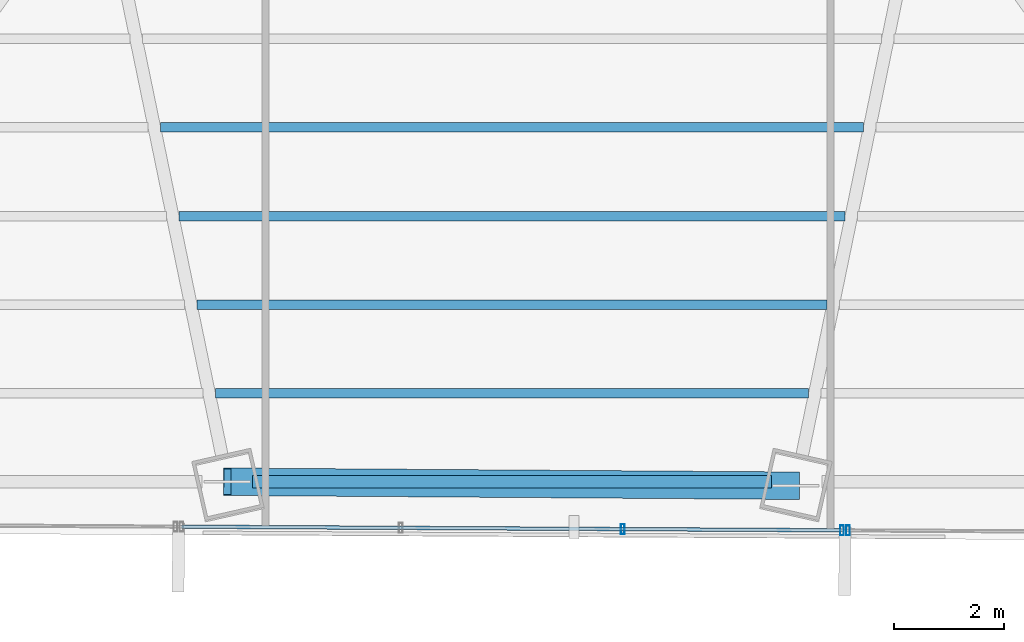
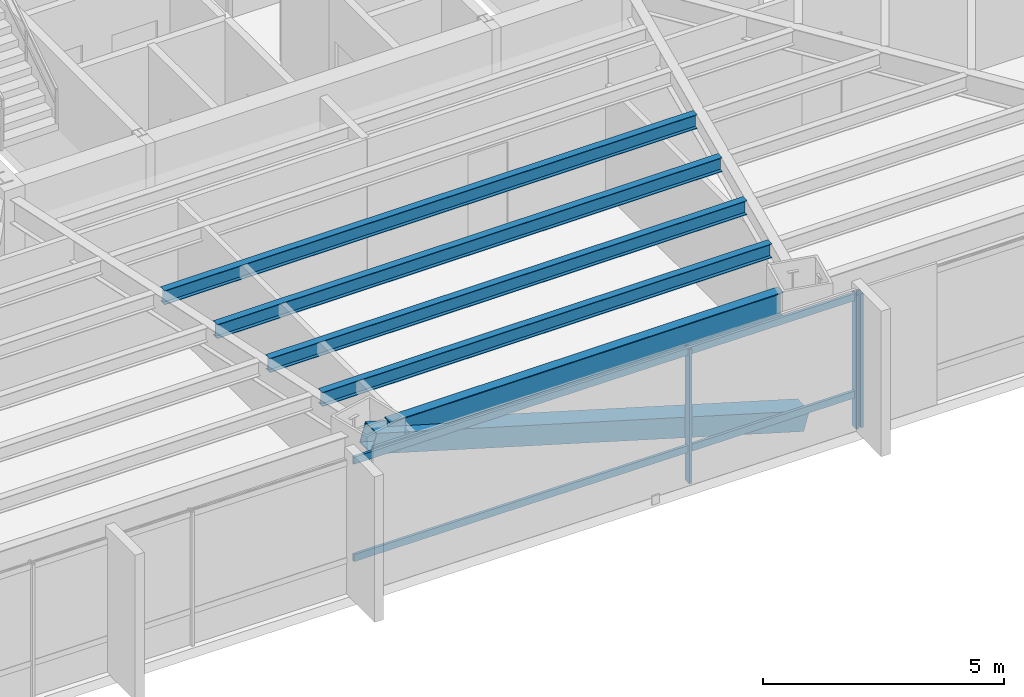
# One storey, part 9 of 35: 6 members, 5 beams, 2 elements without a shape of their own.
"""IFC4 building model written with IfcOpenShell, lengths in metres."""

from ifc_helpers import new_model, si_unit, direction, frame, origin, origin_2d, place, context, subcontext, project, spatial, hollow_rectangle, i_section, extrude, source, transform, mapped, material, material_profile, profile_set, type_object, type_shapes, element, aggregate, save


model = new_model("IFC4")

# Units and contexts
model_context = context("Model", 3, precision=1e-05, world=origin(), true_north=direction((0.0, 1.0)))
body_context = subcontext(model_context, "Body", "Model", "MODEL_VIEW")
ifc_project = project(units=[si_unit("LENGTHUNIT", "METRE"), si_unit("AREAUNIT", "SQUARE_METRE"), si_unit("VOLUMEUNIT", "CUBIC_METRE"), si_unit("PLANEANGLEUNIT", "RADIAN"), si_unit("MASSUNIT", "GRAM", prefix="KILO")], contexts=[model_context])

# Site, building, storey
site_placement = place(None, origin())
site = spatial("IfcSite", under=ifc_project, at=site_placement, CompositionType="ELEMENT")
building_placement = place(site_placement, origin())
building = spatial("IfcBuilding", under=site, at=building_placement, Name="Caelisora Broadcast Tower", CompositionType="ELEMENT")
storey_placement = place(building_placement, frame((0.0, 0.0, 90.800048828125)))
storey = spatial("IfcBuildingStorey", under=building, at=storey_placement, Name="L23", CompositionType="ELEMENT", Elevation=90.800048828125)

# Beams
ifc_material_1 = material(Name="Steel Grade 350 (AS/NZS 3679.1)", Category="steel")
ifc_material_profile_1 = material_profile(ifc_material_1, i_section(OverallWidth=0.22900390625, OverallDepth=0.611572265625, WebThickness=0.011962890625, FlangeThickness=0.01953125, at=origin_2d()), Name="Steel Grade 350 (AS/NZS 3679.1)")
ifc_profile_set_1 = profile_set([ifc_material_profile_1], Name="Steel Grade 350 (AS/NZS 3679.1)")
beam_type_1 = type_object("IfcBeamType", Name="PG03", PredefinedType="BEAM", material=ifc_profile_set_1)
shared_shape_1 = source(origin(), body_context, "Body", "SweptSolid", [
    extrude(i_section(OverallWidth=0.22900390625, OverallDepth=0.611572265625, WebThickness=0.011962890625, FlangeThickness=0.01953125, at=origin_2d()), origin(), (0.0, 0.0, 1.0), 9.43505859375),
])
type_shapes(beam_type_1, [shared_shape_1])
beam_1_placement = place(storey_placement, frame((33.282470703125, 6.1240234375, 3.09423828125), z_axis=(1.0, 0.0, 0.0), x_axis=(0.0, 1.0, 0.0)))
element("IfcBeam", 1, at=beam_1_placement, inside=storey, type_object=beam_type_1, Name="L23 beam PG03", PredefinedType="BEAM", context=body_context, shape_type="MappedRepresentation", body=[
    mapped(shared_shape_1, transform((0.0, 0.0, 0.0), scale=1.0)),
])
ifc_material_profile_2 = material_profile(ifc_material_1, i_section(OverallWidth=0.172119140625, OverallDepth=0.358642578125, WebThickness=0.008056640625, FlangeThickness=0.012939453125, at=origin_2d()), Name="Steel Grade 350 (AS/NZS 3679.1)")
ifc_profile_set_2 = profile_set([ifc_material_profile_2], Name="Steel Grade 350 (AS/NZS 3679.1)")
beam_type_2 = type_object("IfcBeamType", Name="SB02", PredefinedType="JOIST", material=ifc_profile_set_2)
shared_shape_2 = source(origin(), body_context, "Body", "SweptSolid", [
    extrude(i_section(OverallWidth=0.172119140625, OverallDepth=0.358642578125, WebThickness=0.008056640625, FlangeThickness=0.012939453125, at=origin_2d()), origin(), (0.0, 0.0, 1.0), 12.78271484375),
])
beam_2_placement = place(storey_placement, frame((31.608642578125, 12.5673828125, 3.220703125), z_axis=(1.0, 0.0, 0.0), x_axis=(0.0, 1.0, 0.0)))
element("IfcBeam", 2, at=beam_2_placement, inside=storey, type_object=beam_type_2, Name="L23 beam SB02", PredefinedType="JOIST", context=body_context, shape_type="MappedRepresentation", body=[
    mapped(shared_shape_2, transform((0.0, 0.0, 0.0), scale=1.0)),
])
shared_shape_3 = source(origin(), body_context, "Body", "SweptSolid", [
    extrude(i_section(OverallWidth=0.172119140625, OverallDepth=0.358642578125, WebThickness=0.008056640625, FlangeThickness=0.012939453125, at=origin_2d()), origin(), (0.0, 0.0, 1.0), 12.119140625),
])
beam_3_placement = place(storey_placement, frame((31.9404296875, 10.95654296875, 3.220703125), z_axis=(1.0, 0.0, 0.0), x_axis=(0.0, 1.0, 0.0)))
element("IfcBeam", 3, at=beam_3_placement, inside=storey, type_object=beam_type_2, Name="L23 beam SB02", PredefinedType="JOIST", context=body_context, shape_type="MappedRepresentation", body=[
    mapped(shared_shape_3, transform((0.0, 0.0, 0.0), scale=1.0)),
])
shared_shape_4 = source(origin(), body_context, "Body", "SweptSolid", [
    extrude(i_section(OverallWidth=0.172119140625, OverallDepth=0.358642578125, WebThickness=0.008056640625, FlangeThickness=0.012939453125, at=origin_2d()), origin(), (0.0, 0.0, 1.0), 11.45556640625),
])
beam_4_placement = place(storey_placement, frame((32.272216796875, 9.345703125, 3.220703125), z_axis=(1.0, 0.0, 0.0), x_axis=(0.0, 1.0, 0.0)))
element("IfcBeam", 4, at=beam_4_placement, inside=storey, type_object=beam_type_2, Name="L23 beam SB02", PredefinedType="JOIST", context=body_context, shape_type="MappedRepresentation", body=[
    mapped(shared_shape_4, transform((0.0, 0.0, 0.0), scale=1.0)),
])
shared_shape_5 = source(origin(), body_context, "Body", "SweptSolid", [
    extrude(i_section(OverallWidth=0.172119140625, OverallDepth=0.358642578125, WebThickness=0.008056640625, FlangeThickness=0.012939453125, at=origin_2d()), origin(), (0.0, 0.0, 1.0), 10.7919921875),
])
type_shapes(beam_type_2, [shared_shape_2, shared_shape_3, shared_shape_4, shared_shape_5])
beam_5_placement = place(storey_placement, frame((32.60400390625, 7.73486328125, 3.220703125), z_axis=(1.0, 0.0, 0.0), x_axis=(0.0, 1.0, 0.0)))
element("IfcBeam", 5, at=beam_5_placement, inside=storey, type_object=beam_type_2, Name="L23 beam SB02", PredefinedType="JOIST", context=body_context, shape_type="MappedRepresentation", body=[
    mapped(shared_shape_5, transform((0.0, 0.0, 0.0), scale=1.0)),
])

# Member
ifc_material_2 = material(Name="Steel Grade 450 L15 (AS/NZS 3678)", Category="steel")
ifc_material_profile_3 = material_profile(ifc_material_2, hollow_rectangle(XDim=0.5, YDim=0.5, WallThickness=0.02001953125, at=origin_2d()), Name="Steel Grade 450 L15 (AS/NZS 3678)")
ifc_profile_set_3 = profile_set([ifc_material_profile_3], Name="Steel Grade 450 L15 (AS/NZS 3678)")
member_type_1 = type_object("IfcMemberType", Name="BR02", PredefinedType="BRACE", material=ifc_profile_set_3)
shared_shape_6 = source(origin(), body_context, "Body", "SweptSolid", [
    extrude(hollow_rectangle(XDim=0.5, YDim=0.5, WallThickness=0.02001953125, at=origin_2d()), origin(), (0.0, 0.0, 1.0), 10.765380859375),
])
type_shapes(member_type_1, [shared_shape_6])
member_1_placement = place(storey_placement, frame((32.822509765625, 6.1240234375, 3.099853515625), z_axis=(0.96036277639, -0.006712810395, -0.278672345061), x_axis=(0.006989698662, 0.999975571758, 0.0)))
element("IfcMember", 6, at=member_1_placement, inside=storey, type_object=member_type_1, Name="L23 perimeter brace BR02", PredefinedType="BRACE", context=body_context, shape_type="MappedRepresentation", body=[
    mapped(shared_shape_6, transform((0.0, 0.0, 0.0), scale=1.0)),
])

# Curtain wall, member
ifc_material_3 = material(Name="Unitised Aluminium and Low-E Glass Curtain Wall", Category="glass")
curtain_wall_type_1 = type_object("IfcCurtainWallType", Name="CW-Z2", PredefinedType="NOTDEFINED", material=ifc_material_3)
curtain_wall_1_placement = place(storey_placement, origin())
curtain_wall_1 = element("IfcCurtainWall", 7, at=curtain_wall_1_placement, inside=storey, type_object=curtain_wall_type_1, Name="L23 curtain wall CW-Z2", PredefinedType="NOTDEFINED")
ifc_material_4 = material(Name="Aluminium 6063-T6 Anodised Terracotta Bronze", Category="aluminium")
ifc_material_profile_4 = material_profile(ifc_material_4, hollow_rectangle(XDim=0.06494140625, YDim=0.179931640625, WallThickness=0.00341796875, at=origin_2d()), Name="Aluminium 6063-T6 Anodised Terracotta Bronze")
ifc_profile_set_4 = profile_set([ifc_material_profile_4], Name="Aluminium 6063-T6 Anodised Terracotta Bronze")
member_type_2 = type_object("IfcMemberType", Name="CWM-02", PredefinedType="MULLION", material=ifc_profile_set_4)
shared_shape_7 = source(origin(), body_context, "Body", "SweptSolid", [
    extrude(hollow_rectangle(XDim=0.06494140625, YDim=0.179931640625, WallThickness=0.00341796875, at=origin_2d()), origin(), (0.0, 0.0, 1.0), 3.39990234375),
])
type_shapes(member_type_2, [shared_shape_7])
member_2_placement = place(storey_placement, frame((44.11181640625, 5.23974609375, 0.0), z_axis=(0.0, 0.0, 1.0), x_axis=(1.0, 0.0, 0.0)))
member_2 = element("IfcMember", 8, at=member_2_placement, type_object=member_type_2, Name="L23-CW-B05 mullion #3", PredefinedType="MULLION", context=body_context, shape_type="MappedRepresentation", body=[
    mapped(shared_shape_7, transform((0.0, 0.0, 0.0), scale=1.0)),
])
aggregate(curtain_wall_1, [member_2])

# Curtain wall, members
ifc_material_5 = material(Name="Unitised Aluminium Insulated Shadow-Box Spandrel Curtain Wall", Category="aluminium")
curtain_wall_type_2 = type_object("IfcCurtainWallType", Name="CW-SP1", PredefinedType="NOTDEFINED", material=ifc_material_5)
curtain_wall_2_placement = place(storey_placement, origin())
curtain_wall_2 = element("IfcCurtainWall", 9, at=curtain_wall_2_placement, inside=storey, type_object=curtain_wall_type_2, Name="L23 curtain wall CW-SP1", PredefinedType="NOTDEFINED")
member_3_placement = place(storey_placement, frame((44.001708984375, 5.240478515625, 0.0), z_axis=(0.0, 0.0, 1.0), x_axis=(1.0, 0.0, 0.0)))
member_3 = element("IfcMember", 10, at=member_3_placement, type_object=member_type_2, Name="L23-CW-B06 mullion #0", PredefinedType="MULLION", context=body_context, shape_type="MappedRepresentation", body=[
    mapped(shared_shape_7, transform((0.0, 0.0, 0.0), scale=1.0)),
])
member_4_placement = place(storey_placement, frame((40.014404296875, 5.2626953125, 0.0), z_axis=(0.0, 0.0, 1.0), x_axis=(1.0, 0.0, 0.0)))
member_4 = element("IfcMember", 11, at=member_4_placement, type_object=member_type_2, Name="L23-CW-B06 mullion #1", PredefinedType="MULLION", context=body_context, shape_type="MappedRepresentation", body=[
    mapped(shared_shape_7, transform((0.0, 0.0, 0.0), scale=1.0)),
])
ifc_material_profile_5 = material_profile(ifc_material_4, hollow_rectangle(XDim=0.06494140625, YDim=0.179931640625, WallThickness=0.00341796875, at=origin_2d()), Name="Aluminium 6063-T6 Anodised Terracotta Bronze")
ifc_profile_set_5 = profile_set([ifc_material_profile_5], Name="Aluminium 6063-T6 Anodised Terracotta Bronze")
member_type_3 = type_object("IfcMemberType", Name="CWT-01", PredefinedType="USERDEFINED", material=ifc_profile_set_5)
shared_shape_8 = source(origin(), body_context, "Body", "SweptSolid", [
    extrude(hollow_rectangle(XDim=0.06494140625, YDim=0.179931640625, WallThickness=0.00341796875, at=origin_2d()), origin(), (0.0, 0.0, 1.0), 12.01220703125),
])
type_shapes(member_type_3, [shared_shape_8])
member_5_placement = place(storey_placement, frame((44.001708984375, 5.240478515625, 0.849853515625), z_axis=(-0.999984606499, 0.005548582297, 0.0), x_axis=(-0.005548582297, -0.999984606499, 0.0)))
member_5 = element("IfcMember", 12, at=member_5_placement, type_object=member_type_3, Name="L23-CW-B06 transom #1", ObjectType="TRANSOM", PredefinedType="USERDEFINED", context=body_context, shape_type="MappedRepresentation", body=[
    mapped(shared_shape_8, transform((0.0, 0.0, 0.0), scale=1.0)),
])
member_6_placement = place(storey_placement, frame((44.001708984375, 5.240478515625, 3.320068359375), z_axis=(-0.999984606499, 0.005548582297, 0.0), x_axis=(-0.005548582297, -0.999984606499, 0.0)))
member_6 = element("IfcMember", 13, at=member_6_placement, type_object=member_type_3, Name="L23-CW-B06 transom #2", ObjectType="TRANSOM", PredefinedType="USERDEFINED", context=body_context, shape_type="MappedRepresentation", body=[
    mapped(shared_shape_8, transform((0.0, 0.0, 0.0), scale=1.0)),
])
aggregate(curtain_wall_2, [member_3, member_4, member_5, member_6])

save(model, "model.ifc")
